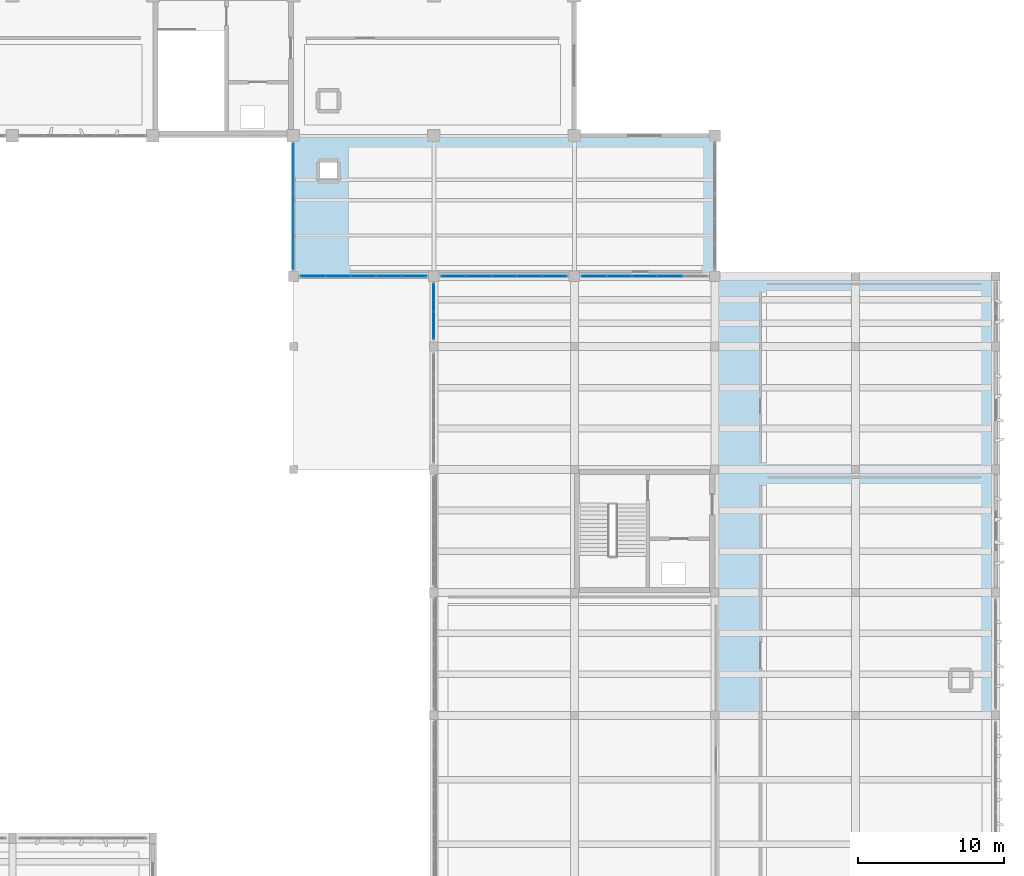
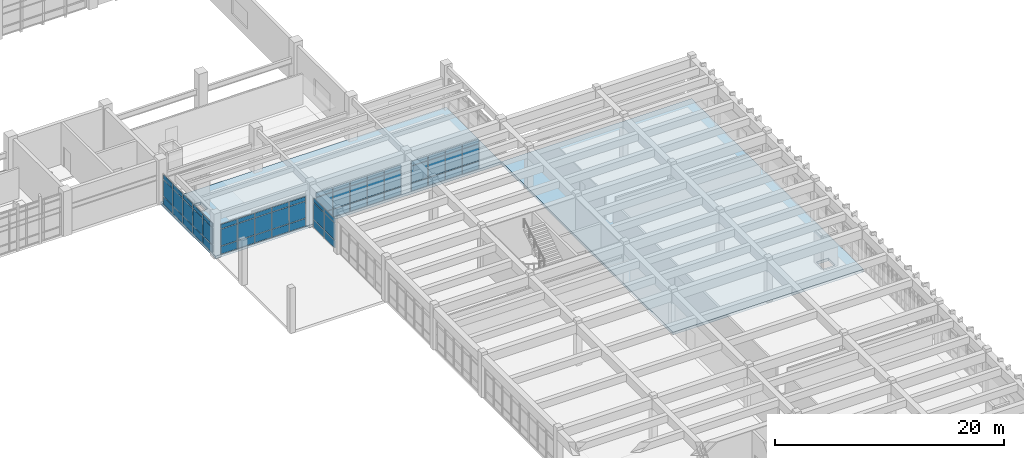
# One storey, part 57 of 86: 63 plates, 2 slabs, 5 elements without a shape of their own.
"""IFC4 building model written with IfcOpenShell, lengths in metres."""

from ifc_helpers import new_model, si_unit, direction, frame, origin, origin_2d, place, context, subcontext, project, spatial, polyline, rectangle, outline, extrude, material, layer, layer_set, type_object, element, aggregate, save


model = new_model("IFC4")

# Units and contexts
model_context = context("Model", 3, precision=1e-05, world=origin(), true_north=direction((0.0, 1.0)))
body_context = subcontext(model_context, "Body", "Model", "MODEL_VIEW")
ifc_project = project(units=[si_unit("LENGTHUNIT", "METRE"), si_unit("AREAUNIT", "SQUARE_METRE"), si_unit("VOLUMEUNIT", "CUBIC_METRE"), si_unit("PLANEANGLEUNIT", "RADIAN"), si_unit("MASSUNIT", "GRAM", prefix="KILO")], contexts=[model_context])

# Site, building, storey
site_placement = place(None, origin())
site = spatial("IfcSite", under=ifc_project, at=site_placement, CompositionType="ELEMENT")
building_placement = place(site_placement, origin())
building = spatial("IfcBuilding", under=site, at=building_placement, Name="Kolvemor Railside Polytechnic", CompositionType="ELEMENT")
storey_placement = place(building_placement, frame((0.0, 0.0, 5.39990234375)))
storey = spatial("IfcBuildingStorey", under=building, at=storey_placement, Name="L01", CompositionType="ELEMENT", Elevation=5.39990234375)

# Curtain wall, plates
ifc_material_1 = material(Name="Anodised marine aluminium and laminated low-E glass", Category="aluminium")
ifc_layer_1 = layer(ifc_material_1, 0.179931640625, Name="CW-UNIT-STD")
ifc_layer_set_1 = layer_set([ifc_layer_1], Name="Anodised marine aluminium and laminated low-E glass")
curtain_wall_type = type_object("IfcCurtainWallType", Name="CW-UNIT-STD", PredefinedType="USERDEFINED", material=ifc_layer_set_1)
curtain_wall_1_placement = place(storey_placement, origin())
curtain_wall_1 = element("IfcCurtainWall", 1, at=curtain_wall_1_placement, inside=storey, type_object=curtain_wall_type, Name="Curtain Wall L01-039", ObjectType="UNITISED CURTAIN WALL", PredefinedType="USERDEFINED")
ifc_material_2 = material(Name="Hurricane-laminated solar-control low-E glass", Category="glass")
ifc_layer_2 = layer(ifc_material_2, 0.053955078125, Name="CWP-GLZ-17")
ifc_layer_set_2 = layer_set([ifc_layer_2], Name="Hurricane-laminated solar-control low-E glass")
plate_type_1 = type_object("IfcPlateType", Name="CWP-GLZ-17", PredefinedType="CURTAIN_PANEL", material=ifc_layer_set_2)
plate_1_placement = place(storey_placement, frame((142.647705078125, 81.60009765625, 0.06494140625), z_axis=(0.0, 0.0, 1.0), x_axis=(-1.0, 0.0, 0.0)))
plate_1 = element("IfcPlate", 2, at=plate_1_placement, type_object=plate_type_1, Name="CW-STD panel 1.1", PredefinedType="CURTAIN_PANEL", context=body_context, shape_type="SweptSolid", body=[
    extrude(rectangle(XDim=1.634521484375, YDim=0.053955078125, at=origin_2d()), origin(), (0.0, 0.0, 1.0), 0.802490234375),
])
plate_2_placement = place(storey_placement, frame((142.647705078125, 81.60009765625, 0.9326171875), z_axis=(0.0, 0.0, 1.0), x_axis=(-1.0, 0.0, 0.0)))
plate_2 = element("IfcPlate", 3, at=plate_2_placement, type_object=plate_type_1, Name="CW-STD panel 1.2", PredefinedType="CURTAIN_PANEL", context=body_context, shape_type="SweptSolid", body=[
    extrude(rectangle(XDim=1.634521484375, YDim=0.053955078125, at=origin_2d()), origin(), (0.0, 0.0, 1.0), 1.764892578125),
])
plate_3_placement = place(storey_placement, frame((142.647705078125, 81.60009765625, 2.7626953125), z_axis=(0.0, 0.0, 1.0), x_axis=(-1.0, 0.0, 0.0)))
plate_3 = element("IfcPlate", 4, at=plate_3_placement, type_object=plate_type_1, Name="CW-STD panel 1.3", PredefinedType="CURTAIN_PANEL", context=body_context, shape_type="SweptSolid", body=[
    extrude(rectangle(XDim=1.634521484375, YDim=0.053955078125, at=origin_2d()), origin(), (0.0, 0.0, 1.0), 0.452392578125),
])
plate_4_placement = place(storey_placement, frame((140.931884765625, 81.60009765625, 0.06494140625), z_axis=(0.0, 0.0, 1.0), x_axis=(-1.0, 0.0, 0.0)))
plate_4 = element("IfcPlate", 5, at=plate_4_placement, type_object=plate_type_1, Name="CW-STD panel 2.1", PredefinedType="CURTAIN_PANEL", context=body_context, shape_type="SweptSolid", body=[
    extrude(rectangle(XDim=1.6669921875, YDim=0.053955078125, at=origin_2d()), origin(), (0.0, 0.0, 1.0), 0.802490234375),
])
plate_5_placement = place(storey_placement, frame((140.931884765625, 81.60009765625, 0.9326171875), z_axis=(0.0, 0.0, 1.0), x_axis=(-1.0, 0.0, 0.0)))
plate_5 = element("IfcPlate", 6, at=plate_5_placement, type_object=plate_type_1, Name="CW-STD panel 2.2", PredefinedType="CURTAIN_PANEL", context=body_context, shape_type="SweptSolid", body=[
    extrude(rectangle(XDim=1.6669921875, YDim=0.053955078125, at=origin_2d()), origin(), (0.0, 0.0, 1.0), 1.764892578125),
])
plate_6_placement = place(storey_placement, frame((140.931884765625, 81.60009765625, 2.7626953125), z_axis=(0.0, 0.0, 1.0), x_axis=(-1.0, 0.0, 0.0)))
plate_6 = element("IfcPlate", 7, at=plate_6_placement, type_object=plate_type_1, Name="CW-STD panel 2.3", PredefinedType="CURTAIN_PANEL", context=body_context, shape_type="SweptSolid", body=[
    extrude(rectangle(XDim=1.6669921875, YDim=0.053955078125, at=origin_2d()), origin(), (0.0, 0.0, 1.0), 0.452392578125),
])
plate_7_placement = place(storey_placement, frame((139.199951171875, 81.60009765625, 0.06494140625), z_axis=(0.0, 0.0, 1.0), x_axis=(-1.0, 0.0, 0.0)))
plate_7 = element("IfcPlate", 8, at=plate_7_placement, type_object=plate_type_1, Name="CW-STD panel 3.1", PredefinedType="CURTAIN_PANEL", context=body_context, shape_type="SweptSolid", body=[
    extrude(rectangle(XDim=1.6669921875, YDim=0.053955078125, at=origin_2d()), origin(), (0.0, 0.0, 1.0), 0.802490234375),
])
plate_8_placement = place(storey_placement, frame((139.199951171875, 81.60009765625, 0.9326171875), z_axis=(0.0, 0.0, 1.0), x_axis=(-1.0, 0.0, 0.0)))
plate_8 = element("IfcPlate", 9, at=plate_8_placement, type_object=plate_type_1, Name="CW-STD panel 3.2", PredefinedType="CURTAIN_PANEL", context=body_context, shape_type="SweptSolid", body=[
    extrude(rectangle(XDim=1.6669921875, YDim=0.053955078125, at=origin_2d()), origin(), (0.0, 0.0, 1.0), 1.764892578125),
])
plate_9_placement = place(storey_placement, frame((139.199951171875, 81.60009765625, 2.7626953125), z_axis=(0.0, 0.0, 1.0), x_axis=(-1.0, 0.0, 0.0)))
plate_9 = element("IfcPlate", 10, at=plate_9_placement, type_object=plate_type_1, Name="CW-STD panel 3.3", PredefinedType="CURTAIN_PANEL", context=body_context, shape_type="SweptSolid", body=[
    extrude(rectangle(XDim=1.6669921875, YDim=0.053955078125, at=origin_2d()), origin(), (0.0, 0.0, 1.0), 0.452392578125),
])
plate_10_placement = place(storey_placement, frame((137.468017578125, 81.60009765625, 0.06494140625), z_axis=(0.0, 0.0, 1.0), x_axis=(-1.0, 0.0, 0.0)))
plate_10 = element("IfcPlate", 11, at=plate_10_placement, type_object=plate_type_1, Name="CW-STD panel 4.1", PredefinedType="CURTAIN_PANEL", context=body_context, shape_type="SweptSolid", body=[
    extrude(rectangle(XDim=1.6669921875, YDim=0.053955078125, at=origin_2d()), origin(), (0.0, 0.0, 1.0), 0.802490234375),
])
plate_11_placement = place(storey_placement, frame((137.468017578125, 81.60009765625, 0.9326171875), z_axis=(0.0, 0.0, 1.0), x_axis=(-1.0, 0.0, 0.0)))
plate_11 = element("IfcPlate", 12, at=plate_11_placement, type_object=plate_type_1, Name="CW-STD panel 4.2", PredefinedType="CURTAIN_PANEL", context=body_context, shape_type="SweptSolid", body=[
    extrude(rectangle(XDim=1.6669921875, YDim=0.053955078125, at=origin_2d()), origin(), (0.0, 0.0, 1.0), 1.764892578125),
])
plate_12_placement = place(storey_placement, frame((137.468017578125, 81.60009765625, 2.7626953125), z_axis=(0.0, 0.0, 1.0), x_axis=(-1.0, 0.0, 0.0)))
plate_12 = element("IfcPlate", 13, at=plate_12_placement, type_object=plate_type_1, Name="CW-STD panel 4.3", PredefinedType="CURTAIN_PANEL", context=body_context, shape_type="SweptSolid", body=[
    extrude(rectangle(XDim=1.6669921875, YDim=0.053955078125, at=origin_2d()), origin(), (0.0, 0.0, 1.0), 0.452392578125),
])
plate_13_placement = place(storey_placement, frame((135.752197265625, 81.60009765625, 0.06494140625), z_axis=(0.0, 0.0, 1.0), x_axis=(-1.0, 0.0, 0.0)))
plate_13 = element("IfcPlate", 14, at=plate_13_placement, type_object=plate_type_1, Name="CW-STD panel 5.1", PredefinedType="CURTAIN_PANEL", context=body_context, shape_type="SweptSolid", body=[
    extrude(rectangle(XDim=1.634521484375, YDim=0.053955078125, at=origin_2d()), origin(), (0.0, 0.0, 1.0), 0.802490234375),
])
plate_14_placement = place(storey_placement, frame((135.752197265625, 81.60009765625, 0.9326171875), z_axis=(0.0, 0.0, 1.0), x_axis=(-1.0, 0.0, 0.0)))
plate_14 = element("IfcPlate", 15, at=plate_14_placement, type_object=plate_type_1, Name="CW-STD panel 5.2", PredefinedType="CURTAIN_PANEL", context=body_context, shape_type="SweptSolid", body=[
    extrude(rectangle(XDim=1.634521484375, YDim=0.053955078125, at=origin_2d()), origin(), (0.0, 0.0, 1.0), 1.764892578125),
])
plate_15_placement = place(storey_placement, frame((135.752197265625, 81.60009765625, 2.7626953125), z_axis=(0.0, 0.0, 1.0), x_axis=(-1.0, 0.0, 0.0)))
plate_15 = element("IfcPlate", 16, at=plate_15_placement, type_object=plate_type_1, Name="CW-STD panel 5.3", PredefinedType="CURTAIN_PANEL", context=body_context, shape_type="SweptSolid", body=[
    extrude(rectangle(XDim=1.634521484375, YDim=0.053955078125, at=origin_2d()), origin(), (0.0, 0.0, 1.0), 0.452392578125),
])
aggregate(curtain_wall_1, [plate_1, plate_2, plate_3, plate_4, plate_5, plate_6, plate_7, plate_8, plate_9, plate_10, plate_11, plate_12, plate_13, plate_14, plate_15])

curtain_wall_2_placement = place(storey_placement, origin())
curtain_wall_2 = element("IfcCurtainWall", 17, at=curtain_wall_2_placement, inside=storey, type_object=curtain_wall_type, Name="Curtain Wall L01-093", ObjectType="UNITISED CURTAIN WALL", PredefinedType="USERDEFINED")
plate_16_placement = place(storey_placement, frame((144.0, 80.146240234375, 0.074951171875), z_axis=(0.0, 0.0, 1.0), x_axis=(0.0, -1.0, 0.0)))
plate_16 = element("IfcPlate", 18, at=plate_16_placement, type_object=plate_type_1, Name="CW-STD panel 1.1", PredefinedType="CURTAIN_PANEL", context=body_context, shape_type="SweptSolid", body=[
    extrude(rectangle(XDim=1.8173828125, YDim=0.053955078125, at=origin_2d()), origin(), (0.0, 0.0, 1.0), 0.78759765625),
])
plate_17_placement = place(storey_placement, frame((144.0, 80.146240234375, 0.937744140625), z_axis=(0.0, 0.0, 1.0), x_axis=(0.0, -1.0, 0.0)))
plate_17 = element("IfcPlate", 19, at=plate_17_placement, type_object=plate_type_1, Name="CW-STD panel 1.2", PredefinedType="CURTAIN_PANEL", context=body_context, shape_type="SweptSolid", body=[
    extrude(rectangle(XDim=1.8173828125, YDim=0.053955078125, at=origin_2d()), origin(), (0.0, 0.0, 1.0), 1.7548828125),
])
plate_18_placement = place(storey_placement, frame((144.0, 80.146240234375, 2.767578125), z_axis=(0.0, 0.0, 1.0), x_axis=(0.0, -1.0, 0.0)))
plate_18 = element("IfcPlate", 20, at=plate_18_placement, type_object=plate_type_1, Name="CW-STD panel 1.3", PredefinedType="CURTAIN_PANEL", context=body_context, shape_type="SweptSolid", body=[
    extrude(rectangle(XDim=1.8173828125, YDim=0.053955078125, at=origin_2d()), origin(), (0.0, 0.0, 1.0), 0.4375),
])
plate_19_placement = place(storey_placement, frame((144.0, 78.253662109375, 0.074951171875), z_axis=(0.0, 0.0, 1.0), x_axis=(0.0, -1.0, 0.0)))
plate_19 = element("IfcPlate", 21, at=plate_19_placement, type_object=plate_type_1, Name="CW-STD panel 2.1", PredefinedType="CURTAIN_PANEL", context=body_context, shape_type="SweptSolid", body=[
    extrude(rectangle(XDim=1.8173828125, YDim=0.053955078125, at=origin_2d()), origin(), (0.0, 0.0, 1.0), 0.78759765625),
])
plate_20_placement = place(storey_placement, frame((144.0, 78.253662109375, 0.937744140625), z_axis=(0.0, 0.0, 1.0), x_axis=(0.0, -1.0, 0.0)))
plate_20 = element("IfcPlate", 22, at=plate_20_placement, type_object=plate_type_1, Name="CW-STD panel 2.2", PredefinedType="CURTAIN_PANEL", context=body_context, shape_type="SweptSolid", body=[
    extrude(rectangle(XDim=1.8173828125, YDim=0.053955078125, at=origin_2d()), origin(), (0.0, 0.0, 1.0), 1.7548828125),
])
plate_21_placement = place(storey_placement, frame((144.0, 78.253662109375, 2.767578125), z_axis=(0.0, 0.0, 1.0), x_axis=(0.0, -1.0, 0.0)))
plate_21 = element("IfcPlate", 23, at=plate_21_placement, type_object=plate_type_1, Name="CW-STD panel 2.3", PredefinedType="CURTAIN_PANEL", context=body_context, shape_type="SweptSolid", body=[
    extrude(rectangle(XDim=1.8173828125, YDim=0.053955078125, at=origin_2d()), origin(), (0.0, 0.0, 1.0), 0.4375),
])
aggregate(curtain_wall_2, [plate_16, plate_17, plate_18, plate_19, plate_20, plate_21])

curtain_wall_3_placement = place(storey_placement, origin())
curtain_wall_3 = element("IfcCurtainWall", 24, at=curtain_wall_3_placement, inside=storey, type_object=curtain_wall_type, Name="Curtain Wall L01-040", ObjectType="UNITISED CURTAIN WALL", PredefinedType="USERDEFINED")
ifc_material_3 = material(Name="Hurricane-laminated solar-control low-E glass", Category="glass")
ifc_layer_3 = layer(ifc_material_3, 0.055908203125, Name="CWP-GLZ-18")
ifc_layer_set_3 = layer_set([ifc_layer_3], Name="Hurricane-laminated solar-control low-E glass")
plate_type_2 = type_object("IfcPlateType", Name="CWP-GLZ-18", PredefinedType="CURTAIN_PANEL", material=ifc_layer_set_3)
plate_22_placement = place(storey_placement, frame((152.247802734375, 81.60009765625, 0.06494140625), z_axis=(0.0, 0.0, 1.0), x_axis=(-1.0, 0.0, 0.0)))
plate_22 = element("IfcPlate", 25, at=plate_22_placement, type_object=plate_type_2, Name="CW-STD panel 1.1", PredefinedType="CURTAIN_PANEL", context=body_context, shape_type="SweptSolid", body=[
    extrude(rectangle(XDim=1.634521484375, YDim=0.055908203125, at=origin_2d()), origin(), (0.0, 0.0, 1.0), 0.802490234375),
])
plate_23_placement = place(storey_placement, frame((152.247802734375, 81.60009765625, 0.9326171875), z_axis=(0.0, 0.0, 1.0), x_axis=(-1.0, 0.0, 0.0)))
plate_23 = element("IfcPlate", 26, at=plate_23_placement, type_object=plate_type_2, Name="CW-STD panel 1.2", PredefinedType="CURTAIN_PANEL", context=body_context, shape_type="SweptSolid", body=[
    extrude(rectangle(XDim=1.634521484375, YDim=0.055908203125, at=origin_2d()), origin(), (0.0, 0.0, 1.0), 1.764892578125),
])
plate_24_placement = place(storey_placement, frame((152.247802734375, 81.60009765625, 2.7626953125), z_axis=(0.0, 0.0, 1.0), x_axis=(-1.0, 0.0, 0.0)))
plate_24 = element("IfcPlate", 27, at=plate_24_placement, type_object=plate_type_2, Name="CW-STD panel 1.3", PredefinedType="CURTAIN_PANEL", context=body_context, shape_type="SweptSolid", body=[
    extrude(rectangle(XDim=1.634521484375, YDim=0.055908203125, at=origin_2d()), origin(), (0.0, 0.0, 1.0), 0.452392578125),
])
plate_25_placement = place(storey_placement, frame((150.531982421875, 81.60009765625, 0.06494140625), z_axis=(0.0, 0.0, 1.0), x_axis=(-1.0, 0.0, 0.0)))
plate_25 = element("IfcPlate", 28, at=plate_25_placement, type_object=plate_type_2, Name="CW-STD panel 2.1", PredefinedType="CURTAIN_PANEL", context=body_context, shape_type="SweptSolid", body=[
    extrude(rectangle(XDim=1.6669921875, YDim=0.055908203125, at=origin_2d()), origin(), (0.0, 0.0, 1.0), 0.802490234375),
])
plate_26_placement = place(storey_placement, frame((150.531982421875, 81.60009765625, 0.9326171875), z_axis=(0.0, 0.0, 1.0), x_axis=(-1.0, 0.0, 0.0)))
plate_26 = element("IfcPlate", 29, at=plate_26_placement, type_object=plate_type_2, Name="CW-STD panel 2.2", PredefinedType="CURTAIN_PANEL", context=body_context, shape_type="SweptSolid", body=[
    extrude(rectangle(XDim=1.6669921875, YDim=0.055908203125, at=origin_2d()), origin(), (0.0, 0.0, 1.0), 1.764892578125),
])
plate_27_placement = place(storey_placement, frame((150.531982421875, 81.60009765625, 2.7626953125), z_axis=(0.0, 0.0, 1.0), x_axis=(-1.0, 0.0, 0.0)))
plate_27 = element("IfcPlate", 30, at=plate_27_placement, type_object=plate_type_2, Name="CW-STD panel 2.3", PredefinedType="CURTAIN_PANEL", context=body_context, shape_type="SweptSolid", body=[
    extrude(rectangle(XDim=1.6669921875, YDim=0.055908203125, at=origin_2d()), origin(), (0.0, 0.0, 1.0), 0.452392578125),
])
plate_28_placement = place(storey_placement, frame((148.800048828125, 81.60009765625, 0.06494140625), z_axis=(0.0, 0.0, 1.0), x_axis=(-1.0, 0.0, 0.0)))
plate_28 = element("IfcPlate", 31, at=plate_28_placement, type_object=plate_type_2, Name="CW-STD panel 3.1", PredefinedType="CURTAIN_PANEL", context=body_context, shape_type="SweptSolid", body=[
    extrude(rectangle(XDim=1.6669921875, YDim=0.055908203125, at=origin_2d()), origin(), (0.0, 0.0, 1.0), 0.802490234375),
])
plate_29_placement = place(storey_placement, frame((148.800048828125, 81.60009765625, 0.9326171875), z_axis=(0.0, 0.0, 1.0), x_axis=(-1.0, 0.0, 0.0)))
plate_29 = element("IfcPlate", 32, at=plate_29_placement, type_object=plate_type_2, Name="CW-STD panel 3.2", PredefinedType="CURTAIN_PANEL", context=body_context, shape_type="SweptSolid", body=[
    extrude(rectangle(XDim=1.6669921875, YDim=0.055908203125, at=origin_2d()), origin(), (0.0, 0.0, 1.0), 1.764892578125),
])
plate_30_placement = place(storey_placement, frame((148.800048828125, 81.60009765625, 2.7626953125), z_axis=(0.0, 0.0, 1.0), x_axis=(-1.0, 0.0, 0.0)))
plate_30 = element("IfcPlate", 33, at=plate_30_placement, type_object=plate_type_2, Name="CW-STD panel 3.3", PredefinedType="CURTAIN_PANEL", context=body_context, shape_type="SweptSolid", body=[
    extrude(rectangle(XDim=1.6669921875, YDim=0.055908203125, at=origin_2d()), origin(), (0.0, 0.0, 1.0), 0.452392578125),
])
plate_31_placement = place(storey_placement, frame((147.068115234375, 81.60009765625, 0.06494140625), z_axis=(0.0, 0.0, 1.0), x_axis=(-1.0, 0.0, 0.0)))
plate_31 = element("IfcPlate", 34, at=plate_31_placement, type_object=plate_type_2, Name="CW-STD panel 4.1", PredefinedType="CURTAIN_PANEL", context=body_context, shape_type="SweptSolid", body=[
    extrude(rectangle(XDim=1.6669921875, YDim=0.055908203125, at=origin_2d()), origin(), (0.0, 0.0, 1.0), 0.802490234375),
])
plate_32_placement = place(storey_placement, frame((147.068115234375, 81.60009765625, 0.9326171875), z_axis=(0.0, 0.0, 1.0), x_axis=(-1.0, 0.0, 0.0)))
plate_32 = element("IfcPlate", 35, at=plate_32_placement, type_object=plate_type_2, Name="CW-STD panel 4.2", PredefinedType="CURTAIN_PANEL", context=body_context, shape_type="SweptSolid", body=[
    extrude(rectangle(XDim=1.6669921875, YDim=0.055908203125, at=origin_2d()), origin(), (0.0, 0.0, 1.0), 1.764892578125),
])
plate_33_placement = place(storey_placement, frame((147.068115234375, 81.60009765625, 2.7626953125), z_axis=(0.0, 0.0, 1.0), x_axis=(-1.0, 0.0, 0.0)))
plate_33 = element("IfcPlate", 36, at=plate_33_placement, type_object=plate_type_2, Name="CW-STD panel 4.3", PredefinedType="CURTAIN_PANEL", context=body_context, shape_type="SweptSolid", body=[
    extrude(rectangle(XDim=1.6669921875, YDim=0.055908203125, at=origin_2d()), origin(), (0.0, 0.0, 1.0), 0.452392578125),
])
plate_34_placement = place(storey_placement, frame((145.352294921875, 81.60009765625, 0.06494140625), z_axis=(0.0, 0.0, 1.0), x_axis=(-1.0, 0.0, 0.0)))
plate_34 = element("IfcPlate", 37, at=plate_34_placement, type_object=plate_type_2, Name="CW-STD panel 5.1", PredefinedType="CURTAIN_PANEL", context=body_context, shape_type="SweptSolid", body=[
    extrude(rectangle(XDim=1.634521484375, YDim=0.055908203125, at=origin_2d()), origin(), (0.0, 0.0, 1.0), 0.802490234375),
])
plate_35_placement = place(storey_placement, frame((145.352294921875, 81.60009765625, 0.9326171875), z_axis=(0.0, 0.0, 1.0), x_axis=(-1.0, 0.0, 0.0)))
plate_35 = element("IfcPlate", 38, at=plate_35_placement, type_object=plate_type_2, Name="CW-STD panel 5.2", PredefinedType="CURTAIN_PANEL", context=body_context, shape_type="SweptSolid", body=[
    extrude(rectangle(XDim=1.634521484375, YDim=0.055908203125, at=origin_2d()), origin(), (0.0, 0.0, 1.0), 1.764892578125),
])
plate_36_placement = place(storey_placement, frame((145.352294921875, 81.60009765625, 2.7626953125), z_axis=(0.0, 0.0, 1.0), x_axis=(-1.0, 0.0, 0.0)))
plate_36 = element("IfcPlate", 39, at=plate_36_placement, type_object=plate_type_2, Name="CW-STD panel 5.3", PredefinedType="CURTAIN_PANEL", context=body_context, shape_type="SweptSolid", body=[
    extrude(rectangle(XDim=1.634521484375, YDim=0.055908203125, at=origin_2d()), origin(), (0.0, 0.0, 1.0), 0.452392578125),
])
aggregate(curtain_wall_3, [plate_22, plate_23, plate_24, plate_25, plate_26, plate_27, plate_28, plate_29, plate_30, plate_31, plate_32, plate_33, plate_34, plate_35, plate_36])

curtain_wall_4_placement = place(storey_placement, origin())
curtain_wall_4 = element("IfcCurtainWall", 40, at=curtain_wall_4_placement, inside=storey, type_object=curtain_wall_type, Name="Curtain Wall L01-041", ObjectType="UNITISED CURTAIN WALL", PredefinedType="USERDEFINED")
ifc_material_4 = material(Name="Hurricane-laminated solar-control low-E glass", Category="glass")
ifc_layer_4 = layer(ifc_material_4, 0.05810546875, Name="CWP-GLZ-19")
ifc_layer_set_4 = layer_set([ifc_layer_4], Name="Hurricane-laminated solar-control low-E glass")
plate_type_3 = type_object("IfcPlateType", Name="CWP-GLZ-19", PredefinedType="CURTAIN_PANEL", material=ifc_layer_set_4)
plate_37_placement = place(storey_placement, frame((160.132080078125, 81.60009765625, 0.06494140625), z_axis=(0.0, 0.0, 1.0), x_axis=(-1.0, 0.0, 0.0)))
plate_37 = element("IfcPlate", 41, at=plate_37_placement, type_object=plate_type_3, Name="CW-STD panel 2.1", PredefinedType="CURTAIN_PANEL", context=body_context, shape_type="SweptSolid", body=[
    extrude(rectangle(XDim=1.6669921875, YDim=0.05810546875, at=origin_2d()), origin(), (0.0, 0.0, 1.0), 0.802490234375),
])
plate_38_placement = place(storey_placement, frame((160.132080078125, 81.60009765625, 0.9326171875), z_axis=(0.0, 0.0, 1.0), x_axis=(-1.0, 0.0, 0.0)))
plate_38 = element("IfcPlate", 42, at=plate_38_placement, type_object=plate_type_3, Name="CW-STD panel 2.2", PredefinedType="CURTAIN_PANEL", context=body_context, shape_type="SweptSolid", body=[
    extrude(rectangle(XDim=1.6669921875, YDim=0.05810546875, at=origin_2d()), origin(), (0.0, 0.0, 1.0), 1.764892578125),
])
plate_39_placement = place(storey_placement, frame((160.132080078125, 81.60009765625, 2.7626953125), z_axis=(0.0, 0.0, 1.0), x_axis=(-1.0, 0.0, 0.0)))
plate_39 = element("IfcPlate", 43, at=plate_39_placement, type_object=plate_type_3, Name="CW-STD panel 2.3", PredefinedType="CURTAIN_PANEL", context=body_context, shape_type="SweptSolid", body=[
    extrude(rectangle(XDim=1.6669921875, YDim=0.05810546875, at=origin_2d()), origin(), (0.0, 0.0, 1.0), 0.452392578125),
])
plate_40_placement = place(storey_placement, frame((158.39990234375, 81.60009765625, 0.06494140625), z_axis=(0.0, 0.0, 1.0), x_axis=(-1.0, 0.0, 0.0)))
plate_40 = element("IfcPlate", 44, at=plate_40_placement, type_object=plate_type_3, Name="CW-STD panel 3.1", PredefinedType="CURTAIN_PANEL", context=body_context, shape_type="SweptSolid", body=[
    extrude(rectangle(XDim=1.6669921875, YDim=0.05810546875, at=origin_2d()), origin(), (0.0, 0.0, 1.0), 0.802490234375),
])
plate_41_placement = place(storey_placement, frame((158.39990234375, 81.60009765625, 0.9326171875), z_axis=(0.0, 0.0, 1.0), x_axis=(-1.0, 0.0, 0.0)))
plate_41 = element("IfcPlate", 45, at=plate_41_placement, type_object=plate_type_3, Name="CW-STD panel 3.2", PredefinedType="CURTAIN_PANEL", context=body_context, shape_type="SweptSolid", body=[
    extrude(rectangle(XDim=1.6669921875, YDim=0.05810546875, at=origin_2d()), origin(), (0.0, 0.0, 1.0), 1.764892578125),
])
plate_42_placement = place(storey_placement, frame((158.39990234375, 81.60009765625, 2.7626953125), z_axis=(0.0, 0.0, 1.0), x_axis=(-1.0, 0.0, 0.0)))
plate_42 = element("IfcPlate", 46, at=plate_42_placement, type_object=plate_type_3, Name="CW-STD panel 3.3", PredefinedType="CURTAIN_PANEL", context=body_context, shape_type="SweptSolid", body=[
    extrude(rectangle(XDim=1.6669921875, YDim=0.05810546875, at=origin_2d()), origin(), (0.0, 0.0, 1.0), 0.452392578125),
])
plate_43_placement = place(storey_placement, frame((156.66796875, 81.60009765625, 0.06494140625), z_axis=(0.0, 0.0, 1.0), x_axis=(-1.0, 0.0, 0.0)))
plate_43 = element("IfcPlate", 47, at=plate_43_placement, type_object=plate_type_3, Name="CW-STD panel 4.1", PredefinedType="CURTAIN_PANEL", context=body_context, shape_type="SweptSolid", body=[
    extrude(rectangle(XDim=1.6669921875, YDim=0.05810546875, at=origin_2d()), origin(), (0.0, 0.0, 1.0), 0.802490234375),
])
plate_44_placement = place(storey_placement, frame((156.66796875, 81.60009765625, 0.9326171875), z_axis=(0.0, 0.0, 1.0), x_axis=(-1.0, 0.0, 0.0)))
plate_44 = element("IfcPlate", 48, at=plate_44_placement, type_object=plate_type_3, Name="CW-STD panel 4.2", PredefinedType="CURTAIN_PANEL", context=body_context, shape_type="SweptSolid", body=[
    extrude(rectangle(XDim=1.6669921875, YDim=0.05810546875, at=origin_2d()), origin(), (0.0, 0.0, 1.0), 1.764892578125),
])
plate_45_placement = place(storey_placement, frame((156.66796875, 81.60009765625, 2.7626953125), z_axis=(0.0, 0.0, 1.0), x_axis=(-1.0, 0.0, 0.0)))
plate_45 = element("IfcPlate", 49, at=plate_45_placement, type_object=plate_type_3, Name="CW-STD panel 4.3", PredefinedType="CURTAIN_PANEL", context=body_context, shape_type="SweptSolid", body=[
    extrude(rectangle(XDim=1.6669921875, YDim=0.05810546875, at=origin_2d()), origin(), (0.0, 0.0, 1.0), 0.452392578125),
])
plate_46_placement = place(storey_placement, frame((154.9521484375, 81.60009765625, 0.06494140625), z_axis=(0.0, 0.0, 1.0), x_axis=(-1.0, 0.0, 0.0)))
plate_46 = element("IfcPlate", 50, at=plate_46_placement, type_object=plate_type_3, Name="CW-STD panel 5.1", PredefinedType="CURTAIN_PANEL", context=body_context, shape_type="SweptSolid", body=[
    extrude(rectangle(XDim=1.634521484375, YDim=0.05810546875, at=origin_2d()), origin(), (0.0, 0.0, 1.0), 0.802490234375),
])
plate_47_placement = place(storey_placement, frame((154.9521484375, 81.60009765625, 0.9326171875), z_axis=(0.0, 0.0, 1.0), x_axis=(-1.0, 0.0, 0.0)))
plate_47 = element("IfcPlate", 51, at=plate_47_placement, type_object=plate_type_3, Name="CW-STD panel 5.2", PredefinedType="CURTAIN_PANEL", context=body_context, shape_type="SweptSolid", body=[
    extrude(rectangle(XDim=1.634521484375, YDim=0.05810546875, at=origin_2d()), origin(), (0.0, 0.0, 1.0), 1.764892578125),
])
plate_48_placement = place(storey_placement, frame((154.9521484375, 81.60009765625, 2.7626953125), z_axis=(0.0, 0.0, 1.0), x_axis=(-1.0, 0.0, 0.0)))
plate_48 = element("IfcPlate", 52, at=plate_48_placement, type_object=plate_type_3, Name="CW-STD panel 5.3", PredefinedType="CURTAIN_PANEL", context=body_context, shape_type="SweptSolid", body=[
    extrude(rectangle(XDim=1.634521484375, YDim=0.05810546875, at=origin_2d()), origin(), (0.0, 0.0, 1.0), 0.452392578125),
])
aggregate(curtain_wall_4, [plate_37, plate_38, plate_39, plate_40, plate_41, plate_42, plate_43, plate_44, plate_45, plate_46, plate_47, plate_48])

curtain_wall_5_placement = place(storey_placement, origin())
curtain_wall_5 = element("IfcCurtainWall", 53, at=curtain_wall_5_placement, inside=storey, type_object=curtain_wall_type, Name="Curtain Wall L01-045", ObjectType="UNITISED CURTAIN WALL", PredefinedType="USERDEFINED")
ifc_material_5 = material(Name="Hurricane-laminated solar-control low-E glass", Category="glass")
ifc_layer_5 = layer(ifc_material_5, 0.068115234375, Name="CWP-GLZ-24")
ifc_layer_set_5 = layer_set([ifc_layer_5], Name="Hurricane-laminated solar-control low-E glass")
plate_type_4 = type_object("IfcPlateType", Name="CWP-GLZ-24", PredefinedType="CURTAIN_PANEL", material=ifc_layer_set_5)
plate_49_placement = place(storey_placement, frame((134.39990234375, 89.84765625, 0.06494140625), z_axis=(0.0, 0.0, 1.0), x_axis=(0.0, -1.0, 0.0)))
plate_49 = element("IfcPlate", 54, at=plate_49_placement, type_object=plate_type_4, Name="CW-STD panel 1.1", PredefinedType="CURTAIN_PANEL", context=body_context, shape_type="SweptSolid", body=[
    extrude(rectangle(XDim=1.634521484375, YDim=0.068115234375, at=origin_2d()), origin(), (0.0, 0.0, 1.0), 0.802490234375),
])
plate_50_placement = place(storey_placement, frame((134.39990234375, 89.84765625, 0.9326171875), z_axis=(0.0, 0.0, 1.0), x_axis=(0.0, -1.0, 0.0)))
plate_50 = element("IfcPlate", 55, at=plate_50_placement, type_object=plate_type_4, Name="CW-STD panel 1.2", PredefinedType="CURTAIN_PANEL", context=body_context, shape_type="SweptSolid", body=[
    extrude(rectangle(XDim=1.634521484375, YDim=0.068115234375, at=origin_2d()), origin(), (0.0, 0.0, 1.0), 1.764892578125),
])
plate_51_placement = place(storey_placement, frame((134.39990234375, 89.84765625, 2.7626953125), z_axis=(0.0, 0.0, 1.0), x_axis=(0.0, -1.0, 0.0)))
plate_51 = element("IfcPlate", 56, at=plate_51_placement, type_object=plate_type_4, Name="CW-STD panel 1.3", PredefinedType="CURTAIN_PANEL", context=body_context, shape_type="SweptSolid", body=[
    extrude(rectangle(XDim=1.634521484375, YDim=0.068115234375, at=origin_2d()), origin(), (0.0, 0.0, 1.0), 0.452392578125),
])
plate_52_placement = place(storey_placement, frame((134.39990234375, 88.132080078125, 0.06494140625), z_axis=(0.0, 0.0, 1.0), x_axis=(0.0, -1.0, 0.0)))
plate_52 = element("IfcPlate", 57, at=plate_52_placement, type_object=plate_type_4, Name="CW-STD panel 2.1", PredefinedType="CURTAIN_PANEL", context=body_context, shape_type="SweptSolid", body=[
    extrude(rectangle(XDim=1.6669921875, YDim=0.068115234375, at=origin_2d()), origin(), (0.0, 0.0, 1.0), 0.802490234375),
])
plate_53_placement = place(storey_placement, frame((134.39990234375, 88.132080078125, 0.9326171875), z_axis=(0.0, 0.0, 1.0), x_axis=(0.0, -1.0, 0.0)))
plate_53 = element("IfcPlate", 58, at=plate_53_placement, type_object=plate_type_4, Name="CW-STD panel 2.2", PredefinedType="CURTAIN_PANEL", context=body_context, shape_type="SweptSolid", body=[
    extrude(rectangle(XDim=1.6669921875, YDim=0.068115234375, at=origin_2d()), origin(), (0.0, 0.0, 1.0), 1.764892578125),
])
plate_54_placement = place(storey_placement, frame((134.39990234375, 88.132080078125, 2.7626953125), z_axis=(0.0, 0.0, 1.0), x_axis=(0.0, -1.0, 0.0)))
plate_54 = element("IfcPlate", 59, at=plate_54_placement, type_object=plate_type_4, Name="CW-STD panel 2.3", PredefinedType="CURTAIN_PANEL", context=body_context, shape_type="SweptSolid", body=[
    extrude(rectangle(XDim=1.6669921875, YDim=0.068115234375, at=origin_2d()), origin(), (0.0, 0.0, 1.0), 0.452392578125),
])
plate_55_placement = place(storey_placement, frame((134.39990234375, 86.39990234375, 0.06494140625), z_axis=(0.0, 0.0, 1.0), x_axis=(0.0, -1.0, 0.0)))
plate_55 = element("IfcPlate", 60, at=plate_55_placement, type_object=plate_type_4, Name="CW-STD panel 3.1", PredefinedType="CURTAIN_PANEL", context=body_context, shape_type="SweptSolid", body=[
    extrude(rectangle(XDim=1.6669921875, YDim=0.068115234375, at=origin_2d()), origin(), (0.0, 0.0, 1.0), 0.802490234375),
])
plate_56_placement = place(storey_placement, frame((134.39990234375, 86.39990234375, 0.9326171875), z_axis=(0.0, 0.0, 1.0), x_axis=(0.0, -1.0, 0.0)))
plate_56 = element("IfcPlate", 61, at=plate_56_placement, type_object=plate_type_4, Name="CW-STD panel 3.2", PredefinedType="CURTAIN_PANEL", context=body_context, shape_type="SweptSolid", body=[
    extrude(rectangle(XDim=1.6669921875, YDim=0.068115234375, at=origin_2d()), origin(), (0.0, 0.0, 1.0), 1.764892578125),
])
plate_57_placement = place(storey_placement, frame((134.39990234375, 86.39990234375, 2.7626953125), z_axis=(0.0, 0.0, 1.0), x_axis=(0.0, -1.0, 0.0)))
plate_57 = element("IfcPlate", 62, at=plate_57_placement, type_object=plate_type_4, Name="CW-STD panel 3.3", PredefinedType="CURTAIN_PANEL", context=body_context, shape_type="SweptSolid", body=[
    extrude(rectangle(XDim=1.6669921875, YDim=0.068115234375, at=origin_2d()), origin(), (0.0, 0.0, 1.0), 0.452392578125),
])
plate_58_placement = place(storey_placement, frame((134.39990234375, 84.66796875, 0.06494140625), z_axis=(0.0, 0.0, 1.0), x_axis=(0.0, -1.0, 0.0)))
plate_58 = element("IfcPlate", 63, at=plate_58_placement, type_object=plate_type_4, Name="CW-STD panel 4.1", PredefinedType="CURTAIN_PANEL", context=body_context, shape_type="SweptSolid", body=[
    extrude(rectangle(XDim=1.6669921875, YDim=0.068115234375, at=origin_2d()), origin(), (0.0, 0.0, 1.0), 0.802490234375),
])
plate_59_placement = place(storey_placement, frame((134.39990234375, 84.66796875, 0.9326171875), z_axis=(0.0, 0.0, 1.0), x_axis=(0.0, -1.0, 0.0)))
plate_59 = element("IfcPlate", 64, at=plate_59_placement, type_object=plate_type_4, Name="CW-STD panel 4.2", PredefinedType="CURTAIN_PANEL", context=body_context, shape_type="SweptSolid", body=[
    extrude(rectangle(XDim=1.6669921875, YDim=0.068115234375, at=origin_2d()), origin(), (0.0, 0.0, 1.0), 1.764892578125),
])
plate_60_placement = place(storey_placement, frame((134.39990234375, 84.66796875, 2.7626953125), z_axis=(0.0, 0.0, 1.0), x_axis=(0.0, -1.0, 0.0)))
plate_60 = element("IfcPlate", 65, at=plate_60_placement, type_object=plate_type_4, Name="CW-STD panel 4.3", PredefinedType="CURTAIN_PANEL", context=body_context, shape_type="SweptSolid", body=[
    extrude(rectangle(XDim=1.6669921875, YDim=0.068115234375, at=origin_2d()), origin(), (0.0, 0.0, 1.0), 0.452392578125),
])
plate_61_placement = place(storey_placement, frame((134.39990234375, 82.9521484375, 0.06494140625), z_axis=(0.0, 0.0, 1.0), x_axis=(0.0, -1.0, 0.0)))
plate_61 = element("IfcPlate", 66, at=plate_61_placement, type_object=plate_type_4, Name="CW-STD panel 5.1", PredefinedType="CURTAIN_PANEL", context=body_context, shape_type="SweptSolid", body=[
    extrude(rectangle(XDim=1.634521484375, YDim=0.068115234375, at=origin_2d()), origin(), (0.0, 0.0, 1.0), 0.802490234375),
])
plate_62_placement = place(storey_placement, frame((134.39990234375, 82.9521484375, 0.9326171875), z_axis=(0.0, 0.0, 1.0), x_axis=(0.0, -1.0, 0.0)))
plate_62 = element("IfcPlate", 67, at=plate_62_placement, type_object=plate_type_4, Name="CW-STD panel 5.2", PredefinedType="CURTAIN_PANEL", context=body_context, shape_type="SweptSolid", body=[
    extrude(rectangle(XDim=1.634521484375, YDim=0.068115234375, at=origin_2d()), origin(), (0.0, 0.0, 1.0), 1.764892578125),
])
plate_63_placement = place(storey_placement, frame((134.39990234375, 82.9521484375, 2.7626953125), z_axis=(0.0, 0.0, 1.0), x_axis=(0.0, -1.0, 0.0)))
plate_63 = element("IfcPlate", 68, at=plate_63_placement, type_object=plate_type_4, Name="CW-STD panel 5.3", PredefinedType="CURTAIN_PANEL", context=body_context, shape_type="SweptSolid", body=[
    extrude(rectangle(XDim=1.634521484375, YDim=0.068115234375, at=origin_2d()), origin(), (0.0, 0.0, 1.0), 0.452392578125),
])
aggregate(curtain_wall_5, [plate_49, plate_50, plate_51, plate_52, plate_53, plate_54, plate_55, plate_56, plate_57, plate_58, plate_59, plate_60, plate_61, plate_62, plate_63])

# Slabs
ifc_material_6 = material(Name="Concrete C40/50", Category="concrete")
ifc_layer_6 = layer(ifc_material_6, 0.280029296875, Name="SLB-POD-L01")
ifc_layer_set_6 = layer_set([ifc_layer_6], Name="Concrete C40/50")
slab_type = type_object("IfcSlabType", Name="SLB-POD-L01", PredefinedType="FLOOR", material=ifc_layer_set_6)
slab_1_placement = place(storey_placement, frame((0.0, 0.0, -0.27978515625)))
element("IfcSlab", 69, at=slab_1_placement, inside=storey, type_object=slab_type, Name="East Link L01 Slab L01-44", PredefinedType="FLOOR", context=body_context, shape_type="SweptSolid", body=[
    extrude(outline(polyline([(134.39990234375, 81.60009765625), (163.199951171875, 81.60009765625), (163.199951171875, 91.199951171875), (134.39990234375, 91.199951171875), (134.39990234375, 81.60009765625)]), holes=[polyline([(136.199951171875, 88.199951171875), (137.39990234375, 88.199951171875), (137.39990234375, 89.39990234375), (136.199951171875, 89.39990234375), (136.199951171875, 88.199951171875)])]), origin(), (0.0, 0.0, 1.0), 0.27978515625),
])
slab_2_placement = place(storey_placement, frame((0.0, 0.0, -0.27978515625)))
element("IfcSlab", 70, at=slab_2_placement, inside=storey, type_object=slab_type, Name="Union Wing L01 Slab L01-59", PredefinedType="FLOOR", context=body_context, shape_type="SweptSolid", body=[
    extrude(outline(polyline([(163.199951171875, 51.60009765625), (182.39990234375, 51.60009765625), (182.39990234375, 81.60009765625), (163.199951171875, 81.60009765625), (163.199951171875, 51.60009765625)]), holes=[polyline([(179.39990234375, 53.39990234375), (180.60009765625, 53.39990234375), (180.60009765625, 54.60009765625), (179.39990234375, 54.60009765625), (179.39990234375, 53.39990234375)])]), origin(), (0.0, 0.0, 1.0), 0.27978515625),
])

save(model, "model.ifc")
